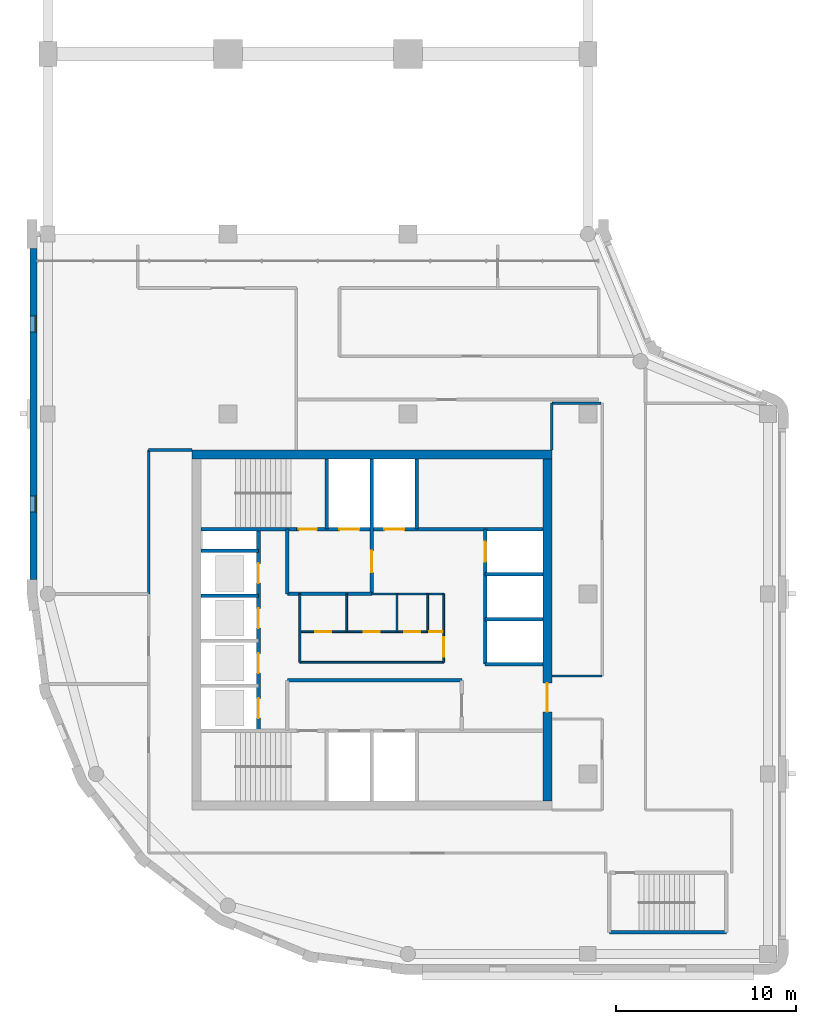
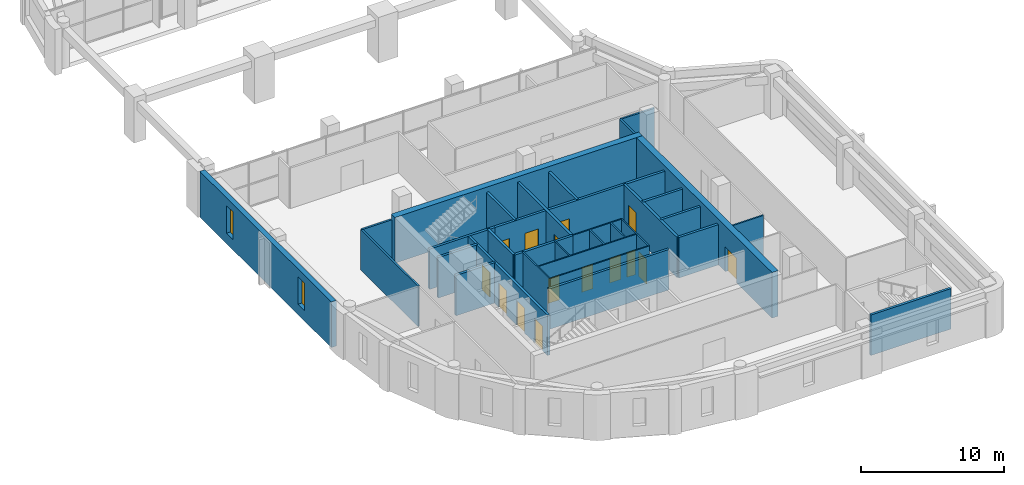
# One storey, part 6 of 11: 32 walls, 15 doors, 2 windows, 17 openings.
"""IFC4 building model written with IfcOpenShell, lengths in metres."""

import ifcopenshell
import ifcopenshell.guid

model = None  # the IFC model being written
_history = None  # IfcOwnerHistory: only IFC2X3 demands one
_inside = {}  # id of a spatial element -> (the spatial element, [elements in it])
_under = {}  # id of a project, library or spatial element -> (it, [spatial elements below it])
_declared = {}  # id of a project -> (the project, [libraries it declares])
_typed = {}  # id of a type object -> (the type object, [elements of that type])
_made_of = {}  # id of a material, layer set ... -> (it, [elements and type objects made of it])


def new_model(schema):
    """Start an empty IFC model of exactly this schema.

    Asked for "IFC4X3", IfcOpenShell would pick the latest addendum, in which some entities
    have other attributes; the version numbers below select the first issue.
    IFC2X3 requires an IfcOwnerHistory on every rooted entity: one is made here for all.
    """
    global model, _history
    if schema == "IFC4X3":
        model = ifcopenshell.file(schema_version=(4, 3, 0, 0))
    else:
        model = ifcopenshell.file(schema=schema)
    _inside.clear()
    _under.clear()
    _declared.clear()
    _typed.clear()
    _made_of.clear()
    _history = None
    if model.schema == "IFC2X3":
        org = make("IfcOrganization", Name="unknown")
        user = make(
            "IfcPersonAndOrganization",
            ThePerson=make("IfcPerson", FamilyName="unknown"),
            TheOrganization=org,
        )
        app = make(
            "IfcApplication",
            ApplicationDeveloper=org,
            Version="unknown",
            ApplicationFullName="unknown",
            ApplicationIdentifier="unknown",
        )
        _history = make(
            "IfcOwnerHistory",
            OwningUser=user,
            OwningApplication=app,
            ChangeAction="ADDED",
            CreationDate=0,
        )
    return model


def make(cls, **values):
    """One entity of the class cls with the attributes given. An attribute that is None is left unset."""
    return model.create_entity(
        cls, **{name: value for name, value in values.items() if value is not None}
    )


def rooted(cls, **values):
    """An entity with a GlobalId (a new one), such as an element, a storey or a relation."""
    return make(cls, GlobalId=ifcopenshell.guid.new(), OwnerHistory=_history, **values)


def si_unit(unit_type, name, prefix=None):
    """IfcSIUnit, for example si_unit("LENGTHUNIT", "METRE", prefix="MILLI")."""
    return make("IfcSIUnit", UnitType=unit_type, Prefix=prefix, Name=name)


def assignment(units):
    """IfcUnitAssignment: the units of a project."""
    return None if units is None else make("IfcUnitAssignment", Units=units)


def point(xyz):
    """IfcCartesianPoint."""
    return None if xyz is None else make("IfcCartesianPoint", Coordinates=xyz)


def direction(xyz):
    """IfcDirection."""
    return None if xyz is None else make("IfcDirection", DirectionRatios=xyz)


def frame(location, z_axis=None, x_axis=None):
    """IfcAxis2Placement3D, a coordinate frame: its origin and axes. An axis left out is left unset."""
    return make(
        "IfcAxis2Placement3D",
        Location=point(location),
        Axis=direction(z_axis),
        RefDirection=direction(x_axis),
    )


def frame_2d(location, x_axis=None):
    """IfcAxis2Placement2D, a coordinate frame in the plane: its origin and x axis."""
    return make(
        "IfcAxis2Placement2D", Location=point(location), RefDirection=direction(x_axis)
    )


def origin():
    """The frame at (0, 0, 0) with its axes left unset."""
    return frame((0.0, 0.0, 0.0))


def place(relative_to, where):
    """IfcLocalPlacement: puts the frame where relative to a parent placement (None: the world)."""
    return make(
        "IfcLocalPlacement", PlacementRelTo=relative_to, RelativePlacement=where
    )


def context(
    kind, dimensions, precision=None, world=None, true_north=None, identifier=None
):
    """IfcGeometricRepresentationContext, for example the 3D "Model" context."""
    return make(
        "IfcGeometricRepresentationContext",
        ContextIdentifier=identifier,
        ContextType=kind,
        CoordinateSpaceDimension=dimensions,
        Precision=precision,
        WorldCoordinateSystem=world,
        TrueNorth=true_north,
    )


def subcontext(parent, identifier, kind, view, scale=None):
    """IfcGeometricRepresentationSubContext, for example "Body" below "Model"."""
    return make(
        "IfcGeometricRepresentationSubContext",
        ContextIdentifier=identifier,
        ContextType=kind,
        ParentContext=parent,
        TargetScale=scale,
        TargetView=view,
    )


def project(units=None, contexts=None):
    """IfcProject with its units and contexts."""
    return rooted(
        "IfcProject",
        Name="project",
        RepresentationContexts=contexts,
        UnitsInContext=assignment(units),
    )


def spatial(cls, under=None, at=None, **own):
    """A site, building, storey or space (cls), placed at a placement, below another one or the project."""
    s = rooted(cls, ObjectPlacement=at, **own)
    if under is not None:
        _under.setdefault(under.id(), (under, []))[1].append(s)
    return s


def profile(cls, at=None, kind="AREA", **sizes):
    """A parametric profile (cls). Its sizes go by their IFC names, for example OverallWidth=200.0."""
    return make(cls, ProfileType=kind, Position=at, **sizes)


def rectangle(**sizes):
    """IfcRectangleProfileDef."""
    return profile("IfcRectangleProfileDef", **sizes)


def extrude(swept, where, along, depth):
    """IfcExtrudedAreaSolid: the profile swept, set in the frame where, extruded along a direction by depth."""
    return make(
        "IfcExtrudedAreaSolid",
        SweptArea=swept,
        Position=where,
        ExtrudedDirection=direction(along),
        Depth=depth,
    )


def shape(context_of_items, identifier, shape_type, items):
    """IfcShapeRepresentation: the items that make up one representation, for example the "Body"."""
    return make(
        "IfcShapeRepresentation",
        ContextOfItems=context_of_items,
        RepresentationIdentifier=identifier,
        RepresentationType=shape_type,
        Items=items,
    )


def material(Name=None, Category=None):
    """IfcMaterial."""
    return make("IfcMaterial", Name=Name, Category=Category)


def layer(
    of_material, thickness, ventilated=None, Name=None, Category=None, Priority=None
):
    """IfcMaterialLayer: one layer of a wall or slab, of a material (None: an air gap)."""
    return make(
        "IfcMaterialLayer",
        Material=of_material,
        LayerThickness=thickness,
        IsVentilated=ventilated,
        Name=Name,
        Category=Category,
        Priority=Priority,
    )


def layer_set(layers, Name=None):
    """IfcMaterialLayerSet."""
    return make("IfcMaterialLayerSet", MaterialLayers=layers, LayerSetName=Name)


def made_of(thing, what):
    """Note that an element or type object is made of a material, layer set ...; save() writes the relation."""
    if what is not None:
        _made_of.setdefault(what.id(), (what, []))[1].append(thing)
    return thing


def type_object(cls, material=None, **own):
    """A type object (cls), such as IfcWallType, which elements share."""
    return made_of(rooted(cls, **own), material)


def element(
    cls,
    number,
    at=None,
    inside=None,
    cuts=None,
    type_object=None,
    material=None,
    context=None,
    identifier="Body",
    shape_type=None,
    held_by="IfcProductDefinitionShape",
    body=None,
    shapes=None,
    **own,
):
    """One element of the class cls, such as IfcWall. Its Tag is "e" and its number.

    at: its placement. inside: the storey or other place that contains it. cuts: it is an
    opening in that element (IfcRelVoidsElement). A single representation is given by context,
    identifier, shape_type and body (its items); several are given by shapes. held_by: the class
    of the entity that holds the representations. save() writes the other relations.
    """
    e = rooted(cls, Tag="e%d" % number, ObjectPlacement=at, **own)
    if body is not None:
        shapes = [shape(context, identifier, shape_type, body)]
    if shapes is not None:
        e.Representation = make(held_by, Representations=shapes)
    if inside is not None:
        _inside.setdefault(inside.id(), (inside, []))[1].append(e)
    if cuts is not None:
        rooted(
            "IfcRelVoidsElement", RelatingBuildingElement=cuts, RelatedOpeningElement=e
        )
    if type_object is not None:
        _typed.setdefault(type_object.id(), (type_object, []))[1].append(e)
    return made_of(e, material)


def fill(opening, filler):
    """IfcRelFillsElement: the door or window that sits in an opening."""
    return rooted(
        "IfcRelFillsElement",
        RelatingOpeningElement=opening,
        RelatedBuildingElement=filler,
    )


def aggregate(whole, parts):
    """IfcRelAggregates: a whole, such as a stair, and the parts it consists of."""
    return rooted("IfcRelAggregates", RelatingObject=whole, RelatedObjects=parts)


def save(model, path):
    """Write the relations noted so far, then the file.

    IfcRelAggregates (storeys below a building ...), IfcRelContainedInSpatialStructure (elements
    in a storey), IfcRelDefinesByType, IfcRelAssociatesMaterial and IfcRelDeclares: one each for
    every whole, place, type object, material and project.
    """
    for whole, parts in _under.values():
        aggregate(whole, parts)
    for where, things in _inside.values():
        rooted(
            "IfcRelContainedInSpatialStructure",
            RelatedElements=things,
            RelatingStructure=where,
        )
    for kind, things in _typed.values():
        rooted("IfcRelDefinesByType", RelatedObjects=things, RelatingType=kind)
    for what, things in _made_of.values():
        rooted("IfcRelAssociatesMaterial", RelatedObjects=things, RelatingMaterial=what)
    for by, libraries in _declared.values():
        rooted("IfcRelDeclares", RelatingContext=by, RelatedDefinitions=libraries)
    model.write(path)


model = new_model("IFC4")

# Units and contexts
model_context = context("Model", 3, precision=1e-05, world=origin(), true_north=direction((0.0, 1.0)))
body_context = subcontext(model_context, "Body", "Model", "MODEL_VIEW")
ifc_project = project(units=[si_unit("LENGTHUNIT", "METRE"), si_unit("AREAUNIT", "SQUARE_METRE"), si_unit("VOLUMEUNIT", "CUBIC_METRE"), si_unit("PLANEANGLEUNIT", "RADIAN"), si_unit("MASSUNIT", "GRAM", prefix="KILO")], contexts=[model_context])

# Site, building, storey
site_placement = place(None, origin())
site = spatial("IfcSite", under=ifc_project, at=site_placement, CompositionType="ELEMENT")
building_placement = place(site_placement, origin())
building = spatial("IfcBuilding", under=site, at=building_placement, Name="Qaws Garden Tower", CompositionType="ELEMENT")
storey_placement = place(building_placement, frame((0.0, 0.0, 329.39990234375)))
storey = spatial("IfcBuildingStorey", under=building, at=storey_placement, Name="L80", CompositionType="ELEMENT", Elevation=329.39990234375)

# Wall, openings, windows
ifc_material_1 = material(Name="Clay facing brick masonry", Category="masonry")
ifc_layer_1 = layer(ifc_material_1, 0.39990234375)
ifc_layer_set_1 = layer_set([ifc_layer_1], Name="Clay facing brick masonry")
wall_type_1 = type_object("IfcWallType", Name="Brick infill wall 400", PredefinedType="SOLIDWALL", material=ifc_layer_set_1)
wall_1_placement = place(storey_placement, frame((-0.800048828125, 39.199951171875, 0.0), z_axis=(0.0, 0.0, 1.0), x_axis=(0.0, -1.0, 0.0)))
wall_1 = element("IfcWall", 1, at=wall_1_placement, inside=storey, type_object=wall_type_1, Name="E-L80-infill-19", PredefinedType="SOLIDWALL", context=body_context, shape_type="SweptSolid", body=[
    extrude(rectangle(XDim=18.39990234375, YDim=0.39990234375, at=frame_2d((9.199951171875, 0.0))), origin(), (0.0, 0.0, 1.0), 3.900146484375),
])
opening_1_placement = place(wall_1_placement, frame((3.75, 0.0, 0.89990234375)))
opening_1 = element("IfcOpeningElement", 2, at=opening_1_placement, cuts=wall_1, Name="Opening W09", PredefinedType="OPENING", context=body_context, shape_type="SweptSolid", body=[
    extrude(rectangle(XDim=0.89990234375, YDim=2.35009765625, at=frame_2d((0.449951171875, 1.175048828125))), frame((0.0, 0.2099609375, 0.0), z_axis=(0.0, -1.0, 0.0), x_axis=(1.0, 0.0, 0.0)), (0.0, 0.0, 1.0), 0.419921875),
])
opening_2_placement = place(wall_1_placement, frame((13.75, 0.0, 0.89990234375)))
opening_2 = element("IfcOpeningElement", 3, at=opening_2_placement, cuts=wall_1, Name="Opening W09", PredefinedType="OPENING", context=body_context, shape_type="SweptSolid", body=[
    extrude(rectangle(XDim=0.89990234375, YDim=2.35009765625, at=frame_2d((0.449951171875, 1.175048828125))), frame((0.0, 0.2099609375, 0.0), z_axis=(0.0, -1.0, 0.0), x_axis=(1.0, 0.0, 0.0)), (0.0, 0.0, 1.0), 0.419921875),
])
ifc_material_2 = material(Name="Aluminium framed window, clear glazing", Category="aluminium")
window_type = type_object("IfcWindowType", Name="Slit window 900 x 2350", PartitioningType="SINGLE_PANEL", PredefinedType="WINDOW", material=ifc_material_2)
window_1_placement = place(opening_1_placement, origin())
window_1 = element("IfcWindow", 4, at=window_1_placement, inside=storey, type_object=window_type, Name="E-L80-window-19-0", OverallHeight=2.35009765625, OverallWidth=0.89990234375, PartitioningType="SINGLE_PANEL", PredefinedType="WINDOW", context=body_context, shape_type="SweptSolid", body=[
    extrude(rectangle(XDim=0.89990234375, YDim=2.35009765625, at=frame_2d((0.449951171875, 1.175048828125))), frame((0.0, 0.159912109375, 0.0), z_axis=(0.0, -1.0, 0.0), x_axis=(1.0, 0.0, 0.0)), (0.0, 0.0, 1.0), 0.06005859375),
])
fill(opening_1, window_1)
window_2_placement = place(opening_2_placement, origin())
window_2 = element("IfcWindow", 5, at=window_2_placement, inside=storey, type_object=window_type, Name="E-L80-window-20-0", OverallHeight=2.35009765625, OverallWidth=0.89990234375, PartitioningType="SINGLE_PANEL", PredefinedType="WINDOW", context=body_context, shape_type="SweptSolid", body=[
    extrude(rectangle(XDim=0.89990234375, YDim=2.35009765625, at=frame_2d((0.449951171875, 1.175048828125))), frame((0.0, 0.159912109375, 0.0), z_axis=(0.0, -1.0, 0.0), x_axis=(1.0, 0.0, 0.0)), (0.0, 0.0, 1.0), 0.06005859375),
])
fill(opening_2, window_2)

# Wall
ifc_material_3 = material(Name="Plasterboard")
ifc_layer_2 = layer(ifc_material_3, 0.10009765625)
ifc_layer_set_2 = layer_set([ifc_layer_2], Name="Plasterboard")
wall_type_2 = type_object("IfcWallType", Name="Core partition 100", PredefinedType="PARTITIONING", material=ifc_layer_set_2)
wall_2_placement = place(storey_placement, frame((14.0, 16.199951171875, 0.0), z_axis=(0.0, 0.0, 1.0), x_axis=(1.0, 0.0, 0.0)))
element("IfcWall", 6, at=wall_2_placement, inside=storey, type_object=wall_type_2, Name="Core partition", PredefinedType="PARTITIONING", context=body_context, shape_type="SweptSolid", body=[
    extrude(rectangle(XDim=8.0, YDim=0.10009765625, at=frame_2d((4.0, 0.0))), origin(), (0.0, 0.0, 1.0), 3.4501953125),
])

# Wall, openings, doors
wall_3_placement = place(storey_placement, frame((14.0, 17.89990234375, 0.0), z_axis=(0.0, 0.0, 1.0), x_axis=(1.0, 0.0, 0.0)))
wall_3 = element("IfcWall", 7, at=wall_3_placement, inside=storey, type_object=wall_type_2, Name="Core partition", PredefinedType="PARTITIONING", context=body_context, shape_type="SweptSolid", body=[
    extrude(rectangle(XDim=8.0, YDim=0.10009765625, at=frame_2d((4.0, 0.0))), origin(), (0.0, 0.0, 1.0), 3.4501953125),
])
opening_3_placement = place(wall_3_placement, frame((0.85009765625, 0.0, 0.0)))
opening_3 = element("IfcOpeningElement", 8, at=opening_3_placement, cuts=wall_3, Name="Opening WD18", PredefinedType="OPENING", context=body_context, shape_type="SweptSolid", body=[
    extrude(rectangle(XDim=0.89990234375, YDim=2.10009765625, at=frame_2d((0.449951171875, 1.050048828125))), frame((0.0, 0.06005859375, 0.0), z_axis=(0.0, -1.0, 0.0), x_axis=(1.0, 0.0, 0.0)), (0.0, 0.0, 1.0), 0.1201171875),
])
opening_4_placement = place(wall_3_placement, frame((3.550048828125, 0.0, 0.0)))
opening_4 = element("IfcOpeningElement", 9, at=opening_4_placement, cuts=wall_3, Name="Opening WD19", PredefinedType="OPENING", context=body_context, shape_type="SweptSolid", body=[
    extrude(rectangle(XDim=0.89990234375, YDim=2.10009765625, at=frame_2d((0.449951171875, 1.050048828125))), frame((0.0, 0.06005859375, 0.0), z_axis=(0.0, -1.0, 0.0), x_axis=(1.0, 0.0, 0.0)), (0.0, 0.0, 1.0), 0.1201171875),
])
opening_5_placement = place(wall_3_placement, frame((5.800048828125, 0.0, 0.0)))
opening_5 = element("IfcOpeningElement", 10, at=opening_5_placement, cuts=wall_3, Name="Opening WD20", PredefinedType="OPENING", context=body_context, shape_type="SweptSolid", body=[
    extrude(rectangle(XDim=0.89990234375, YDim=2.10009765625, at=frame_2d((0.449951171875, 1.050048828125))), frame((0.0, 0.06005859375, 0.0), z_axis=(0.0, -1.0, 0.0), x_axis=(1.0, 0.0, 0.0)), (0.0, 0.0, 1.0), 0.1201171875),
])
opening_6_placement = place(wall_3_placement, frame((7.199951171875, 0.0, 0.0)))
opening_6 = element("IfcOpeningElement", 11, at=opening_6_placement, cuts=wall_3, Name="Opening XD21", PredefinedType="OPENING", context=body_context, shape_type="SweptSolid", body=[
    extrude(rectangle(XDim=0.699951171875, YDim=2.10009765625, at=frame_2d((0.35009765625, 1.050048828125))), frame((0.0, 0.06005859375, 0.0), z_axis=(0.0, -1.0, 0.0), x_axis=(1.0, 0.0, 0.0)), (0.0, 0.0, 1.0), 0.1201171875),
])
ifc_material_4 = material(Name="Timber", Category="wood")
door_type_1 = type_object("IfcDoorType", Name="Store door 700x2100", OperationType="SINGLE_SWING_LEFT", PredefinedType="DOOR", material=ifc_material_4)
door_1_placement = place(opening_6_placement, origin())
door_1 = element("IfcDoor", 12, at=door_1_placement, inside=storey, type_object=door_type_1, Name="Cleaner's store door", OperationType="SINGLE_SWING_RIGHT", OverallHeight=2.10009765625, OverallWidth=0.699951171875, PredefinedType="DOOR", context=body_context, shape_type="SweptSolid", body=[
    extrude(rectangle(XDim=0.699951171875, YDim=2.10009765625, at=frame_2d((0.35009765625, 1.050048828125))), frame((0.0, 0.02490234375, 0.0), z_axis=(0.0, -1.0, 0.0), x_axis=(1.0, 0.0, 0.0)), (0.0, 0.0, 1.0), 0.050048828125),
])
fill(opening_6, door_1)
ifc_material_5 = material(Name="Timber", Category="wood")
door_type_2 = type_object("IfcDoorType", Name="WC door 900x2100", OperationType="SINGLE_SWING_LEFT", PredefinedType="DOOR", material=ifc_material_5)
door_2_placement = place(opening_3_placement, origin())
door_2 = element("IfcDoor", 13, at=door_2_placement, inside=storey, type_object=door_type_2, Name="Men's WC door", OperationType="SINGLE_SWING_RIGHT", OverallHeight=2.10009765625, OverallWidth=0.89990234375, PredefinedType="DOOR", context=body_context, shape_type="SweptSolid", body=[
    extrude(rectangle(XDim=0.89990234375, YDim=2.10009765625, at=frame_2d((0.449951171875, 1.050048828125))), frame((0.0, 0.02490234375, 0.0), z_axis=(0.0, -1.0, 0.0), x_axis=(1.0, 0.0, 0.0)), (0.0, 0.0, 1.0), 0.050048828125),
])
fill(opening_3, door_2)
door_3_placement = place(opening_4_placement, origin())
door_3 = element("IfcDoor", 14, at=door_3_placement, inside=storey, type_object=door_type_2, Name="Women's WC door", OperationType="SINGLE_SWING_RIGHT", OverallHeight=2.10009765625, OverallWidth=0.89990234375, PredefinedType="DOOR", context=body_context, shape_type="SweptSolid", body=[
    extrude(rectangle(XDim=0.89990234375, YDim=2.10009765625, at=frame_2d((0.449951171875, 1.050048828125))), frame((0.0, 0.02490234375, 0.0), z_axis=(0.0, -1.0, 0.0), x_axis=(1.0, 0.0, 0.0)), (0.0, 0.0, 1.0), 0.050048828125),
])
fill(opening_4, door_3)
door_4_placement = place(opening_5_placement, origin())
door_4 = element("IfcDoor", 15, at=door_4_placement, inside=storey, type_object=door_type_2, Name="Accessible WC door", OperationType="SINGLE_SWING_RIGHT", OverallHeight=2.10009765625, OverallWidth=0.89990234375, PredefinedType="DOOR", context=body_context, shape_type="SweptSolid", body=[
    extrude(rectangle(XDim=0.89990234375, YDim=2.10009765625, at=frame_2d((0.449951171875, 1.050048828125))), frame((0.0, 0.02490234375, 0.0), z_axis=(0.0, -1.0, 0.0), x_axis=(1.0, 0.0, 0.0)), (0.0, 0.0, 1.0), 0.050048828125),
])
fill(opening_5, door_4)

# Walls
wall_4_placement = place(storey_placement, frame((18.0, 20.0, 0.0), z_axis=(0.0, 0.0, 1.0), x_axis=(1.0, 0.0, 0.0)))
element("IfcWall", 16, at=wall_4_placement, inside=storey, type_object=wall_type_2, Name="Core partition", PredefinedType="PARTITIONING", context=body_context, shape_type="SweptSolid", body=[
    extrude(rectangle(XDim=4.0, YDim=0.10009765625, at=frame_2d((2.0, 0.0))), origin(), (0.0, 0.0, 1.0), 3.4501953125),
])
wall_5_placement = place(storey_placement, frame((14.0, 16.199951171875, 0.0), z_axis=(0.0, 0.0, 1.0), x_axis=(0.0, 1.0, 0.0)))
element("IfcWall", 17, at=wall_5_placement, inside=storey, type_object=wall_type_2, Name="Core partition", PredefinedType="PARTITIONING", context=body_context, shape_type="SweptSolid", body=[
    extrude(rectangle(XDim=3.800048828125, YDim=0.10009765625, at=frame_2d((1.89990234375, 0.0))), origin(), (0.0, 0.0, 1.0), 3.4501953125),
])
for number, where, z_axis, x_axis, name in (
    (18, (16.60009765625, 17.89990234375, 0.0), (0.0, 0.0, 1.0), (0.0, 1.0, 0.0), "Core partition"),
    (19, (19.39990234375, 17.89990234375, 0.0), (0.0, 0.0, 1.0), (0.0, 1.0, 0.0), "Core partition"),
    (20, (21.10009765625, 17.89990234375, 0.0), (0.0, 0.0, 1.0), (0.0, 1.0, 0.0), "Core partition"),
):
    element("IfcWall", number, at=place(storey_placement, frame(where, z_axis=z_axis, x_axis=x_axis)), inside=storey, type_object=wall_type_2, Name=name, PredefinedType="PARTITIONING", context=body_context, shape_type="SweptSolid", body=[
        extrude(rectangle(XDim=2.10009765625, YDim=0.10009765625, at=frame_2d((1.050048828125, 0.0))), origin(), (0.0, 0.0, 1.0), 3.4501953125),
    ])

# Wall, opening, door
wall_6_placement = place(storey_placement, frame((22.0, 16.199951171875, 0.0), z_axis=(0.0, 0.0, 1.0), x_axis=(0.0, 1.0, 0.0)))
wall_6 = element("IfcWall", 21, at=wall_6_placement, inside=storey, type_object=wall_type_2, Name="Core partition", PredefinedType="PARTITIONING", context=body_context, shape_type="SweptSolid", body=[
    extrude(rectangle(XDim=3.800048828125, YDim=0.10009765625, at=frame_2d((1.89990234375, 0.0))), origin(), (0.0, 0.0, 1.0), 3.4501953125),
])
opening_7_placement = place(wall_6_placement, frame((0.300048828125, 0.0, 0.0)))
opening_7 = element("IfcOpeningElement", 22, at=opening_7_placement, cuts=wall_6, Name="Opening WL17", PredefinedType="OPENING", context=body_context, shape_type="SweptSolid", body=[
    extrude(rectangle(XDim=1.10009765625, YDim=2.10009765625, at=frame_2d((0.550048828125, 1.050048828125))), frame((0.0, 0.06005859375, 0.0), z_axis=(0.0, -1.0, 0.0), x_axis=(1.0, 0.0, 0.0)), (0.0, 0.0, 1.0), 0.1201171875),
])
ifc_material_6 = material(Name="Timber", Category="wood")
door_type_3 = type_object("IfcDoorType", Name="WC lobby door 1100x2100", OperationType="SINGLE_SWING_LEFT", PredefinedType="DOOR", material=ifc_material_6)
door_5_placement = place(opening_7_placement, origin())
door_5 = element("IfcDoor", 23, at=door_5_placement, inside=storey, type_object=door_type_3, Name="WC lobby door", OperationType="SINGLE_SWING_RIGHT", OverallHeight=2.10009765625, OverallWidth=1.10009765625, PredefinedType="DOOR", context=body_context, shape_type="SweptSolid", body=[
    extrude(rectangle(XDim=1.10009765625, YDim=2.10009765625, at=frame_2d((0.550048828125, 1.050048828125))), frame((0.0, 0.02490234375, 0.0), z_axis=(0.0, -1.0, 0.0), x_axis=(1.0, 0.0, 0.0)), (0.0, 0.0, 1.0), 0.050048828125),
])
fill(opening_7, door_5)

# Walls
ifc_material_7 = material(Name="Concrete C60", Category="concrete")
ifc_layer_3 = layer(ifc_material_7, 0.199951171875)
ifc_layer_set_3 = layer_set([ifc_layer_3], Name="Concrete C60")
wall_type_3 = type_object("IfcWallType", Name="Core shaft wall 200 C60", PredefinedType="SHEAR", material=ifc_layer_set_3)
wall_7_placement = place(storey_placement, frame((31.199951171875, 1.199951171875, 0.0), z_axis=(0.0, 0.0, 1.0), x_axis=(1.0, 0.0, 0.0)))
element("IfcWall", 24, at=wall_7_placement, inside=storey, type_object=wall_type_3, Name="Shaft wall", PredefinedType="SHEAR", context=body_context, shape_type="SweptSolid", body=[
    extrude(rectangle(XDim=6.5, YDim=0.199951171875, at=frame_2d((3.25, 0.0))), origin(), (0.0, 0.0, 1.0), 3.4501953125),
])
wall_8_placement = place(storey_placement, frame((13.300048828125, 15.199951171875, 0.0), z_axis=(0.0, 0.0, 1.0), x_axis=(1.0, 0.0, 0.0)))
element("IfcWall", 25, at=wall_8_placement, inside=storey, type_object=wall_type_3, Name="Shaft wall", PredefinedType="SHEAR", context=body_context, shape_type="SweptSolid", body=[
    extrude(rectangle(XDim=9.699951171875, YDim=0.199951171875, at=frame_2d((4.85009765625, 0.0))), origin(), (0.0, 0.0, 1.0), 3.4501953125),
])
for number, where, z_axis, x_axis, name in (
    (26, (24.300048828125, 16.10009765625, 0.0), (0.0, 0.0, 1.0), (1.0, 0.0, 0.0), "Shaft wall"),
    (27, (24.300048828125, 18.60009765625, 0.0), (0.0, 0.0, 1.0), (1.0, 0.0, 0.0), "Shaft wall"),
    (28, (8.5, 19.89990234375, 0.0), (0.0, 0.0, 1.0), (1.0, 0.0, 0.0), "Shaft wall"),
):
    element("IfcWall", number, at=place(storey_placement, frame(where, z_axis=z_axis, x_axis=x_axis)), inside=storey, type_object=wall_type_3, Name=name, PredefinedType="SHEAR", context=body_context, shape_type="SweptSolid", body=[
        extrude(rectangle(XDim=3.199951171875, YDim=0.199951171875, at=frame_2d((1.60009765625, 0.0))), origin(), (0.0, 0.0, 1.0), 3.4501953125),
    ])
wall_9_placement = place(storey_placement, frame((13.300048828125, 20.0, 0.0), z_axis=(0.0, 0.0, 1.0), x_axis=(1.0, 0.0, 0.0)))
element("IfcWall", 29, at=wall_9_placement, inside=storey, type_object=wall_type_3, Name="Shaft wall", PredefinedType="SHEAR", context=body_context, shape_type="SweptSolid", body=[
    extrude(rectangle(XDim=4.699951171875, YDim=0.199951171875, at=frame_2d((2.35009765625, 0.0))), origin(), (0.0, 0.0, 1.0), 3.4501953125),
])
for number, where, z_axis, x_axis, name in (
    (30, (24.300048828125, 21.10009765625, 0.0), (0.0, 0.0, 1.0), (1.0, 0.0, 0.0), "Shaft wall"),
    (31, (8.5, 22.39990234375, 0.0), (0.0, 0.0, 1.0), (1.0, 0.0, 0.0), "Shaft wall"),
):
    element("IfcWall", number, at=place(storey_placement, frame(where, z_axis=z_axis, x_axis=x_axis)), inside=storey, type_object=wall_type_3, Name=name, PredefinedType="SHEAR", context=body_context, shape_type="SweptSolid", body=[
        extrude(rectangle(XDim=3.199951171875, YDim=0.199951171875, at=frame_2d((1.60009765625, 0.0))), origin(), (0.0, 0.0, 1.0), 3.4501953125),
    ])
wall_10_placement = place(storey_placement, frame((8.5, 23.60009765625, 0.0), z_axis=(0.0, 0.0, 1.0), x_axis=(1.0, 0.0, 0.0)))
element("IfcWall", 32, at=wall_10_placement, inside=storey, type_object=wall_type_3, Name="Shaft wall", PredefinedType="SHEAR", context=body_context, shape_type="SweptSolid", body=[
    extrude(rectangle(XDim=5.300048828125, YDim=0.199951171875, at=frame_2d((2.64990234375, 0.0))), origin(), (0.0, 0.0, 1.0), 3.4501953125),
])

# Wall, openings, doors
wall_11_placement = place(storey_placement, frame((13.800048828125, 23.60009765625, 0.0), z_axis=(0.0, 0.0, 1.0), x_axis=(1.0, 0.0, 0.0)))
wall_11 = element("IfcWall", 33, at=wall_11_placement, inside=storey, type_object=wall_type_3, Name="Shaft wall", PredefinedType="SHEAR", context=body_context, shape_type="SweptSolid", body=[
    extrude(rectangle(XDim=13.699951171875, YDim=0.199951171875, at=frame_2d((6.85009765625, 0.0))), origin(), (0.0, 0.0, 1.0), 3.4501953125),
])
opening_8_placement = place(wall_11_placement, frame((2.39990234375, 0.0, 0.0)))
opening_8 = element("IfcOpeningElement", 34, at=opening_8_placement, cuts=wall_11, Name="Opening LD08", PredefinedType="OPENING", context=body_context, shape_type="SweptSolid", body=[
    extrude(rectangle(XDim=1.10009765625, YDim=2.10009765625, at=frame_2d((0.550048828125, 1.050048828125))), frame((0.0, 0.10986328125, 0.0), z_axis=(0.0, -1.0, 0.0), x_axis=(1.0, 0.0, 0.0)), (0.0, 0.0, 1.0), 0.219970703125),
])
opening_9_placement = place(wall_11_placement, frame((4.89990234375, 0.0, 0.0)))
opening_9 = element("IfcOpeningElement", 35, at=opening_9_placement, cuts=wall_11, Name="Opening LD09", PredefinedType="OPENING", context=body_context, shape_type="SweptSolid", body=[
    extrude(rectangle(XDim=1.10009765625, YDim=2.10009765625, at=frame_2d((0.550048828125, 1.050048828125))), frame((0.0, 0.10986328125, 0.0), z_axis=(0.0, -1.0, 0.0), x_axis=(1.0, 0.0, 0.0)), (0.0, 0.0, 1.0), 0.219970703125),
])
opening_10_placement = place(wall_11_placement, frame((0.14990234375, 0.0, 0.0)))
opening_10 = element("IfcOpeningElement", 36, at=opening_10_placement, cuts=wall_11, Name="Opening SD11", PredefinedType="OPENING", context=body_context, shape_type="SweptSolid", body=[
    extrude(rectangle(XDim=1.0, YDim=2.10009765625, at=frame_2d((0.5, 1.050048828125))), frame((0.0, 0.10986328125, 0.0), z_axis=(0.0, -1.0, 0.0), x_axis=(1.0, 0.0, 0.0)), (0.0, 0.0, 1.0), 0.219970703125),
])
ifc_material_8 = material(Name="Steel S235", Category="steel")
door_type_4 = type_object("IfcDoorType", Name="Landing door 1100x2100", OperationType="DOUBLE_DOOR_SLIDING", PredefinedType="DOOR", material=ifc_material_8)
door_6_placement = place(opening_8_placement, origin())
door_6 = element("IfcDoor", 37, at=door_6_placement, inside=storey, type_object=door_type_4, Name="Lift FF3 landing door", OperationType="DOUBLE_DOOR_SLIDING", OverallHeight=2.10009765625, OverallWidth=1.10009765625, PredefinedType="DOOR", context=body_context, shape_type="SweptSolid", body=[
    extrude(rectangle(XDim=1.10009765625, YDim=2.10009765625, at=frame_2d((0.550048828125, 1.050048828125))), frame((0.0, 0.02490234375, 0.0), z_axis=(0.0, -1.0, 0.0), x_axis=(1.0, 0.0, 0.0)), (0.0, 0.0, 1.0), 0.050048828125),
])
fill(opening_8, door_6)
door_7_placement = place(opening_9_placement, origin())
door_7 = element("IfcDoor", 38, at=door_7_placement, inside=storey, type_object=door_type_4, Name="Lift SV2 landing door", OperationType="DOUBLE_DOOR_SLIDING", OverallHeight=2.10009765625, OverallWidth=1.10009765625, PredefinedType="DOOR", context=body_context, shape_type="SweptSolid", body=[
    extrude(rectangle(XDim=1.10009765625, YDim=2.10009765625, at=frame_2d((0.550048828125, 1.050048828125))), frame((0.0, 0.02490234375, 0.0), z_axis=(0.0, -1.0, 0.0), x_axis=(1.0, 0.0, 0.0)), (0.0, 0.0, 1.0), 0.050048828125),
])
fill(opening_9, door_7)
ifc_material_9 = material(Name="Steel S235", Category="steel")
door_type_5 = type_object("IfcDoorType", Name="Stair door 1000x2100", OperationType="SINGLE_SWING_RIGHT", PredefinedType="DOOR", material=ifc_material_9)
door_8_placement = place(opening_10_placement, origin())
door_8 = element("IfcDoor", 39, at=door_8_placement, inside=storey, type_object=door_type_5, Name="Stair 4 door", OperationType="SINGLE_SWING_RIGHT", OverallHeight=2.10009765625, OverallWidth=1.0, PredefinedType="DOOR", context=body_context, shape_type="SweptSolid", body=[
    extrude(rectangle(XDim=1.0, YDim=2.10009765625, at=frame_2d((0.5, 1.050048828125))), frame((0.0, 0.02490234375, 0.0), z_axis=(0.0, -1.0, 0.0), x_axis=(1.0, 0.0, 0.0)), (0.0, 0.0, 1.0), 0.050048828125),
])
fill(opening_10, door_8)

wall_12_placement = place(storey_placement, frame((11.699951171875, 12.39990234375, 0.0), z_axis=(0.0, 0.0, 1.0), x_axis=(0.0, 1.0, 0.0)))
wall_12 = element("IfcWall", 40, at=wall_12_placement, inside=storey, type_object=wall_type_3, Name="Shaft wall", PredefinedType="SHEAR", context=body_context, shape_type="SweptSolid", body=[
    extrude(rectangle(XDim=11.2001953125, YDim=0.199951171875, at=frame_2d((5.60009765625, 0.0))), origin(), (0.0, 0.0, 1.0), 3.4501953125),
])
opening_11_placement = place(wall_12_placement, frame((0.699951171875, 0.0, 0.0)))
opening_11 = element("IfcOpeningElement", 41, at=opening_11_placement, cuts=wall_12, Name="Opening LD01", PredefinedType="OPENING", context=body_context, shape_type="SweptSolid", body=[
    extrude(rectangle(XDim=1.10009765625, YDim=2.10009765625, at=frame_2d((0.550048828125, 1.050048828125))), frame((0.0, 0.10986328125, 0.0), z_axis=(0.0, -1.0, 0.0), x_axis=(1.0, 0.0, 0.0)), (0.0, 0.0, 1.0), 0.219970703125),
])
opening_12_placement = place(wall_12_placement, frame((3.199951171875, 0.0, 0.0)))
opening_12 = element("IfcOpeningElement", 42, at=opening_12_placement, cuts=wall_12, Name="Opening LD02", PredefinedType="OPENING", context=body_context, shape_type="SweptSolid", body=[
    extrude(rectangle(XDim=1.10009765625, YDim=2.10009765625, at=frame_2d((0.550048828125, 1.050048828125))), frame((0.0, 0.10986328125, 0.0), z_axis=(0.0, -1.0, 0.0), x_axis=(1.0, 0.0, 0.0)), (0.0, 0.0, 1.0), 0.219970703125),
])
opening_13_placement = place(wall_12_placement, frame((5.699951171875, 0.0, 0.0)))
opening_13 = element("IfcOpeningElement", 43, at=opening_13_placement, cuts=wall_12, Name="Opening LD03", PredefinedType="OPENING", context=body_context, shape_type="SweptSolid", body=[
    extrude(rectangle(XDim=1.10009765625, YDim=2.10009765625, at=frame_2d((0.550048828125, 1.050048828125))), frame((0.0, 0.10986328125, 0.0), z_axis=(0.0, -1.0, 0.0), x_axis=(1.0, 0.0, 0.0)), (0.0, 0.0, 1.0), 0.219970703125),
])
opening_14_placement = place(wall_12_placement, frame((8.199951171875, 0.0, 0.0)))
opening_14 = element("IfcOpeningElement", 44, at=opening_14_placement, cuts=wall_12, Name="Opening LD04", PredefinedType="OPENING", context=body_context, shape_type="SweptSolid", body=[
    extrude(rectangle(XDim=1.10009765625, YDim=2.10009765625, at=frame_2d((0.550048828125, 1.050048828125))), frame((0.0, 0.10986328125, 0.0), z_axis=(0.0, -1.0, 0.0), x_axis=(1.0, 0.0, 0.0)), (0.0, 0.0, 1.0), 0.219970703125),
])
door_9_placement = place(opening_11_placement, origin())
door_9 = element("IfcDoor", 45, at=door_9_placement, inside=storey, type_object=door_type_4, Name="Lift W1 landing door", OperationType="DOUBLE_DOOR_SLIDING", OverallHeight=2.10009765625, OverallWidth=1.10009765625, PredefinedType="DOOR", context=body_context, shape_type="SweptSolid", body=[
    extrude(rectangle(XDim=1.10009765625, YDim=2.10009765625, at=frame_2d((0.550048828125, 1.050048828125))), frame((0.0, 0.02490234375, 0.0), z_axis=(0.0, -1.0, 0.0), x_axis=(1.0, 0.0, 0.0)), (0.0, 0.0, 1.0), 0.050048828125),
])
fill(opening_11, door_9)
door_10_placement = place(opening_12_placement, origin())
door_10 = element("IfcDoor", 46, at=door_10_placement, inside=storey, type_object=door_type_4, Name="Lift W2 landing door", OperationType="DOUBLE_DOOR_SLIDING", OverallHeight=2.10009765625, OverallWidth=1.10009765625, PredefinedType="DOOR", context=body_context, shape_type="SweptSolid", body=[
    extrude(rectangle(XDim=1.10009765625, YDim=2.10009765625, at=frame_2d((0.550048828125, 1.050048828125))), frame((0.0, 0.02490234375, 0.0), z_axis=(0.0, -1.0, 0.0), x_axis=(1.0, 0.0, 0.0)), (0.0, 0.0, 1.0), 0.050048828125),
])
fill(opening_12, door_10)
door_11_placement = place(opening_13_placement, origin())
door_11 = element("IfcDoor", 47, at=door_11_placement, inside=storey, type_object=door_type_4, Name="Lift W3 landing door", OperationType="DOUBLE_DOOR_SLIDING", OverallHeight=2.10009765625, OverallWidth=1.10009765625, PredefinedType="DOOR", context=body_context, shape_type="SweptSolid", body=[
    extrude(rectangle(XDim=1.10009765625, YDim=2.10009765625, at=frame_2d((0.550048828125, 1.050048828125))), frame((0.0, 0.02490234375, 0.0), z_axis=(0.0, -1.0, 0.0), x_axis=(1.0, 0.0, 0.0)), (0.0, 0.0, 1.0), 0.050048828125),
])
fill(opening_13, door_11)
door_12_placement = place(opening_14_placement, origin())
door_12 = element("IfcDoor", 48, at=door_12_placement, inside=storey, type_object=door_type_4, Name="Lift W4 landing door", OperationType="DOUBLE_DOOR_SLIDING", OverallHeight=2.10009765625, OverallWidth=1.10009765625, PredefinedType="DOOR", context=body_context, shape_type="SweptSolid", body=[
    extrude(rectangle(XDim=1.10009765625, YDim=2.10009765625, at=frame_2d((0.550048828125, 1.050048828125))), frame((0.0, 0.02490234375, 0.0), z_axis=(0.0, -1.0, 0.0), x_axis=(1.0, 0.0, 0.0)), (0.0, 0.0, 1.0), 0.050048828125),
])
fill(opening_14, door_12)

# Walls
wall_13_placement = place(storey_placement, frame((13.300048828125, 20.0, 0.0), z_axis=(0.0, 0.0, 1.0), x_axis=(0.0, 1.0, 0.0)))
element("IfcWall", 49, at=wall_13_placement, inside=storey, type_object=wall_type_3, Name="Shaft wall", PredefinedType="SHEAR", context=body_context, shape_type="SweptSolid", body=[
    extrude(rectangle(XDim=3.60009765625, YDim=0.199951171875, at=frame_2d((1.800048828125, 0.0))), origin(), (0.0, 0.0, 1.0), 3.4501953125),
])
wall_14_placement = place(storey_placement, frame((15.5, 23.60009765625, 0.0), z_axis=(0.0, 0.0, 1.0), x_axis=(0.0, 1.0, 0.0)))
element("IfcWall", 50, at=wall_14_placement, inside=storey, type_object=wall_type_3, Name="Shaft wall", PredefinedType="SHEAR", context=body_context, shape_type="SweptSolid", body=[
    extrude(rectangle(XDim=3.89990234375, YDim=0.199951171875, at=frame_2d((1.949951171875, 0.0))), origin(), (0.0, 0.0, 1.0), 3.4501953125),
])

# Wall, opening, door
wall_15_placement = place(storey_placement, frame((18.0, 20.0, 0.0), z_axis=(0.0, 0.0, 1.0), x_axis=(0.0, 1.0, 0.0)))
wall_15 = element("IfcWall", 51, at=wall_15_placement, inside=storey, type_object=wall_type_3, Name="Shaft wall", PredefinedType="SHEAR", context=body_context, shape_type="SweptSolid", body=[
    extrude(rectangle(XDim=7.5, YDim=0.199951171875, at=frame_2d((3.75, 0.0))), origin(), (0.0, 0.0, 1.0), 3.4501953125),
])
opening_15_placement = place(wall_15_placement, frame((1.199951171875, 0.0, 0.0)))
opening_15 = element("IfcOpeningElement", 52, at=opening_15_placement, cuts=wall_15, Name="Opening FD16", PredefinedType="OPENING", context=body_context, shape_type="SweptSolid", body=[
    extrude(rectangle(XDim=1.199951171875, YDim=2.10009765625, at=frame_2d((0.60009765625, 1.050048828125))), frame((0.0, 0.10986328125, 0.0), z_axis=(0.0, -1.0, 0.0), x_axis=(1.0, 0.0, 0.0)), (0.0, 0.0, 1.0), 0.219970703125),
])
ifc_material_10 = material(Name="Steel S235", Category="steel")
door_type_6 = type_object("IfcDoorType", Name="Lobby door 1200x2100", OperationType="DOUBLE_DOOR_SINGLE_SWING", PredefinedType="DOOR", material=ifc_material_10)
door_13_placement = place(opening_15_placement, origin())
door_13 = element("IfcDoor", 53, at=door_13_placement, inside=storey, type_object=door_type_6, Name="Fire-fighting lobby door", OperationType="DOUBLE_DOOR_SINGLE_SWING", OverallHeight=2.10009765625, OverallWidth=1.199951171875, PredefinedType="DOOR", context=body_context, shape_type="SweptSolid", body=[
    extrude(rectangle(XDim=1.199951171875, YDim=2.10009765625, at=frame_2d((0.60009765625, 1.050048828125))), frame((0.0, 0.02490234375, 0.0), z_axis=(0.0, -1.0, 0.0), x_axis=(1.0, 0.0, 0.0)), (0.0, 0.0, 1.0), 0.050048828125),
])
fill(opening_15, door_13)

# Wall
wall_16_placement = place(storey_placement, frame((20.5, 23.60009765625, 0.0), z_axis=(0.0, 0.0, 1.0), x_axis=(0.0, 1.0, 0.0)))
element("IfcWall", 54, at=wall_16_placement, inside=storey, type_object=wall_type_3, Name="Shaft wall", PredefinedType="SHEAR", context=body_context, shape_type="SweptSolid", body=[
    extrude(rectangle(XDim=3.89990234375, YDim=0.199951171875, at=frame_2d((1.949951171875, 0.0))), origin(), (0.0, 0.0, 1.0), 3.4501953125),
])

# Wall, opening, door
wall_17_placement = place(storey_placement, frame((24.300048828125, 16.10009765625, 0.0), z_axis=(0.0, 0.0, 1.0), x_axis=(0.0, 1.0, 0.0)))
wall_17 = element("IfcWall", 55, at=wall_17_placement, inside=storey, type_object=wall_type_3, Name="Shaft wall", PredefinedType="SHEAR", context=body_context, shape_type="SweptSolid", body=[
    extrude(rectangle(XDim=7.5, YDim=0.199951171875, at=frame_2d((3.75, 0.0))), origin(), (0.0, 0.0, 1.0), 3.4501953125),
])
opening_16_placement = place(wall_17_placement, frame((5.699951171875, 0.0, 0.0)))
opening_16 = element("IfcOpeningElement", 56, at=opening_16_placement, cuts=wall_17, Name="Opening LD05", PredefinedType="OPENING", context=body_context, shape_type="SweptSolid", body=[
    extrude(rectangle(XDim=1.10009765625, YDim=2.10009765625, at=frame_2d((0.550048828125, 1.050048828125))), frame((0.0, 0.10986328125, 0.0), z_axis=(0.0, -1.0, 0.0), x_axis=(1.0, 0.0, 0.0)), (0.0, 0.0, 1.0), 0.219970703125),
])
door_14_placement = place(opening_16_placement, origin())
door_14 = element("IfcDoor", 57, at=door_14_placement, inside=storey, type_object=door_type_4, Name="Lift E3 landing door", OperationType="DOUBLE_DOOR_SLIDING", OverallHeight=2.10009765625, OverallWidth=1.10009765625, PredefinedType="DOOR", context=body_context, shape_type="SweptSolid", body=[
    extrude(rectangle(XDim=1.10009765625, YDim=2.10009765625, at=frame_2d((0.550048828125, 1.050048828125))), frame((0.0, 0.02490234375, 0.0), z_axis=(0.0, -1.0, 0.0), x_axis=(1.0, 0.0, 0.0)), (0.0, 0.0, 1.0), 0.050048828125),
])
fill(opening_16, door_14)

ifc_material_11 = material(Name="Concrete C60", Category="concrete")
ifc_layer_4 = layer(ifc_material_11, 0.5)
ifc_layer_set_4 = layer_set([ifc_layer_4], Name="Concrete C60")
wall_type_4 = type_object("IfcWallType", Name="Core wall 500 C60", PredefinedType="SHEAR", material=ifc_layer_set_4)
wall_18_placement = place(storey_placement, frame((27.75, 8.5, 0.0), z_axis=(0.0, 0.0, 1.0), x_axis=(0.0, 1.0, 0.0)))
wall_18 = element("IfcWall", 58, at=wall_18_placement, inside=storey, type_object=wall_type_4, Name="Core wall L80 east", PredefinedType="SHEAR", context=body_context, shape_type="SweptSolid", body=[
    extrude(rectangle(XDim=19.0, YDim=0.5, at=frame_2d((9.5, 0.0))), origin(), (0.0, 0.0, 1.0), 3.900146484375),
])
opening_17_placement = place(wall_18_placement, frame((4.949951171875, 0.0, 0.0)))
opening_17 = element("IfcOpeningElement", 59, at=opening_17_placement, cuts=wall_18, Name="Opening ED22", PredefinedType="OPENING", context=body_context, shape_type="SweptSolid", body=[
    extrude(rectangle(XDim=1.60009765625, YDim=2.10009765625, at=frame_2d((0.800048828125, 1.050048828125))), frame((0.0, 0.260009765625, 0.0), z_axis=(0.0, -1.0, 0.0), x_axis=(1.0, 0.0, 0.0)), (0.0, 0.0, 1.0), 0.52001953125),
])
ifc_material_12 = material(Name="Steel S235", Category="steel")
door_type_7 = type_object("IfcDoorType", Name="Core entrance door 1600x2100", OperationType="DOUBLE_DOOR_SINGLE_SWING", PredefinedType="DOOR", material=ifc_material_12)
door_15_placement = place(opening_17_placement, origin())
door_15 = element("IfcDoor", 60, at=door_15_placement, inside=storey, type_object=door_type_7, Name="Core entrance door", OperationType="DOUBLE_DOOR_SINGLE_SWING", OverallHeight=2.10009765625, OverallWidth=1.60009765625, PredefinedType="DOOR", context=body_context, shape_type="SweptSolid", body=[
    extrude(rectangle(XDim=1.60009765625, YDim=2.10009765625, at=frame_2d((0.800048828125, 1.050048828125))), frame((0.0, 0.02490234375, 0.0), z_axis=(0.0, -1.0, 0.0), x_axis=(1.0, 0.0, 0.0)), (0.0, 0.0, 1.0), 0.050048828125),
])
fill(opening_17, door_15)

# Walls
wall_19_placement = place(storey_placement, frame((28.0, 27.75, 0.0), z_axis=(0.0, 0.0, 1.0), x_axis=(-1.0, 0.0, 0.0)))
element("IfcWall", 61, at=wall_19_placement, inside=storey, type_object=wall_type_4, Name="Core wall L80 north", PredefinedType="SHEAR", context=body_context, shape_type="SweptSolid", body=[
    extrude(rectangle(XDim=20.0, YDim=0.5, at=frame_2d((10.0, 0.0))), origin(), (0.0, 0.0, 1.0), 3.900146484375),
])
ifc_material_13 = material(Name="Glass and aluminium framing", Category="aluminium")
ifc_layer_5 = layer(ifc_material_13, 0.1201171875)
ifc_layer_set_5 = layer_set([ifc_layer_5], Name="Glass and aluminium framing")
wall_type_5 = type_object("IfcWallType", Name="GLAZED PARTITION 120 EI 30", PredefinedType="PARTITIONING", material=ifc_layer_set_5)
wall_20_placement = place(storey_placement, frame((28.0, 15.449951171875, 0.0), z_axis=(0.0, 0.0, 1.0), x_axis=(1.0, 0.0, 0.0)))
element("IfcWall", 62, at=wall_20_placement, inside=storey, type_object=wall_type_5, Name="O-L80-wall-031", PredefinedType="PARTITIONING", context=body_context, shape_type="SweptSolid", body=[
    extrude(rectangle(XDim=2.800048828125, YDim=0.1201171875, at=frame_2d((1.39990234375, 0.0))), origin(), (0.0, 0.0, 1.0), 3.4501953125),
])
ifc_material_14 = material(Name="Gypsum board partition")
ifc_layer_6 = layer(ifc_material_14, 0.14990234375)
ifc_layer_set_6 = layer_set([ifc_layer_6], Name="Gypsum board partition")
wall_type_6 = type_object("IfcWallType", Name="PARTITION 150 EI 60", PredefinedType="PARTITIONING", material=ifc_layer_set_6)
wall_21_placement = place(storey_placement, frame((5.60009765625, 20.0, 0.0), z_axis=(0.0, 0.0, 1.0), x_axis=(0.0, 1.0, 0.0)))
element("IfcWall", 63, at=wall_21_placement, inside=storey, type_object=wall_type_6, Name="O-L80-wall-003", PredefinedType="PARTITIONING", context=body_context, shape_type="SweptSolid", body=[
    extrude(rectangle(XDim=8.0, YDim=0.14990234375, at=frame_2d((4.0, 0.0))), origin(), (0.0, 0.0, 1.0), 3.4501953125),
])
wall_22_placement = place(storey_placement, frame((28.0, 28.0, 0.0), z_axis=(0.0, 0.0, 1.0), x_axis=(0.0, 1.0, 0.0)))
element("IfcWall", 64, at=wall_22_placement, inside=storey, type_object=wall_type_6, Name="O-L80-wall-007", PredefinedType="PARTITIONING", context=body_context, shape_type="SweptSolid", body=[
    extrude(rectangle(XDim=2.597900390625, YDim=0.14990234375, at=frame_2d((1.298828125, 0.0))), origin(), (0.0, 0.0, 1.0), 3.4501953125),
])
wall_23_placement = place(storey_placement, frame((5.60009765625, 28.0, 0.0), z_axis=(0.0, 0.0, 1.0), x_axis=(1.0, 0.0, 0.0)))
element("IfcWall", 65, at=wall_23_placement, inside=storey, type_object=wall_type_6, Name="O-L80-wall-012", PredefinedType="PARTITIONING", context=body_context, shape_type="SweptSolid", body=[
    extrude(rectangle(XDim=2.39990234375, YDim=0.14990234375, at=frame_2d((1.199951171875, 0.0))), origin(), (0.0, 0.0, 1.0), 3.4501953125),
])
wall_24_placement = place(storey_placement, frame((28.001953125, 30.60009765625, 0.0), z_axis=(0.0, 0.0, 1.0), x_axis=(1.0, 0.0, 0.0)))
element("IfcWall", 66, at=wall_24_placement, inside=storey, type_object=wall_type_6, Name="O-L80-wall-013", PredefinedType="PARTITIONING", context=body_context, shape_type="SweptSolid", body=[
    extrude(rectangle(XDim=2.738037109375, YDim=0.14990234375, at=frame_2d((1.369140625, 0.0))), origin(), (0.0, 0.0, 1.0), 3.4501953125),
])

save(model, "model.ifc")
